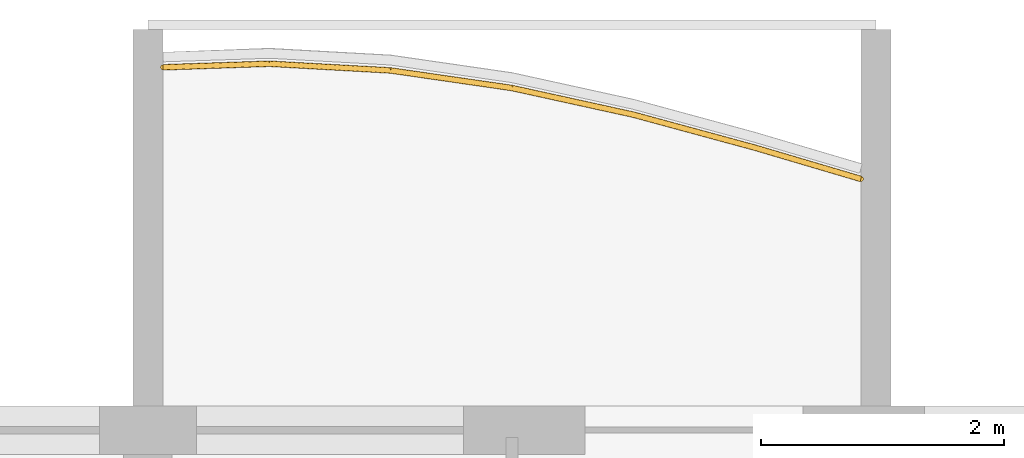
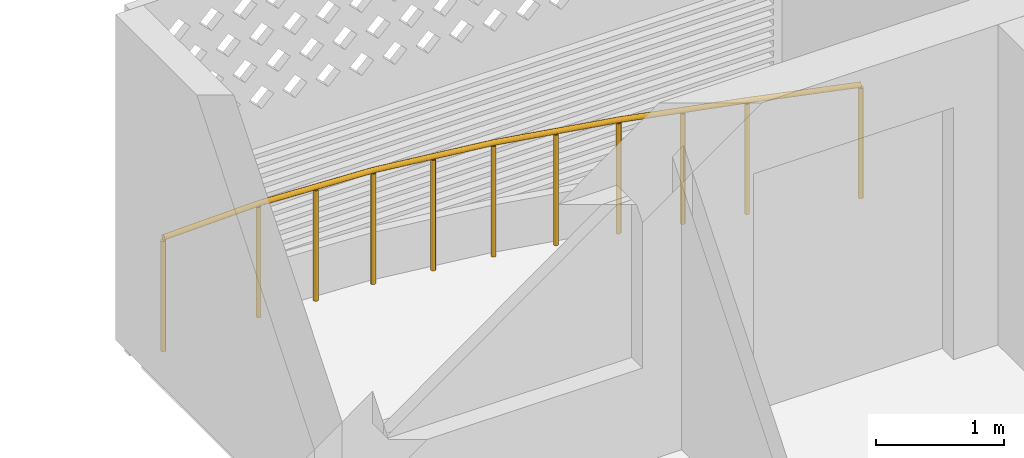
# One storey, part 24 of 40: 1 railing.
"""IFC4 building model written with IfcOpenShell, lengths in metres."""

from ifc_helpers import new_model, si_unit, direction, frame, origin, origin_2d, place, context, subcontext, project, spatial, circle, extrude, material, type_object, element, save


model = new_model("IFC4")

# Units and contexts
model_context = context("Model", 3, precision=1e-05, world=origin(), true_north=direction((0.0, 1.0)))
body_context = subcontext(model_context, "Body", "Model", "MODEL_VIEW")
ifc_project = project(units=[si_unit("LENGTHUNIT", "METRE"), si_unit("AREAUNIT", "SQUARE_METRE"), si_unit("VOLUMEUNIT", "CUBIC_METRE"), si_unit("PLANEANGLEUNIT", "RADIAN"), si_unit("MASSUNIT", "GRAM", prefix="KILO")], contexts=[model_context])

# Site, building, storey
site_placement = place(None, origin())
site = spatial("IfcSite", under=ifc_project, at=site_placement, CompositionType="ELEMENT")
building_placement = place(site_placement, origin())
building = spatial("IfcBuilding", under=site, at=building_placement, Name="Poui Terraces", CompositionType="ELEMENT")
storey_placement = place(building_placement, frame((0.0, 0.0, 39.89990234375)))
storey = spatial("IfcBuildingStorey", under=building, at=storey_placement, Name="L10", CompositionType="ELEMENT", Elevation=39.89990234375)

# Railing
ifc_material = material(Name="Painted steel fretwork", Category="steel")
railing_type = type_object("IfcRailingType", Name="BALCONY GUARD 1100", PredefinedType="GUARDRAIL", material=ifc_material)
railing_placement = place(storey_placement, frame((24.125, 47.7900390625, 0.0)))
element("IfcRailing", 1, at=railing_placement, inside=storey, type_object=railing_type, Name="BALCONY GUARD", PredefinedType="GUARDRAIL", context=body_context, shape_type="SweptSolid", body=[
    extrude(circle(Radius=0.02392578125, at=origin_2d()), frame((0.0, 0.0, 1.076171875), z_axis=(0.999430578744, 0.033741936392, 0.0), x_axis=(-0.033741936392, 0.999430578744, 0.0)), (0.0, 0.0, 1.0), 0.87548828125),
    extrude(circle(Radius=0.02392578125, at=origin_2d()), frame((0.875, 0.029541015625, 1.076171875), z_axis=(0.998467844587, -0.055335009942, 0.0), x_axis=(0.055335009942, 0.998467844587, 0.0)), (0.0, 0.0, 1.0), 1.00146484375),
    extrude(circle(Radius=0.02392578125, at=origin_2d()), frame((1.875, -0.02587890625, 1.076171875), z_axis=(0.989681961654, -0.143281592593, 0.0), x_axis=(0.143281592593, 0.989681961654, 0.0)), (0.0, 0.0, 1.0), 1.010498046875),
    extrude(circle(Radius=0.02392578125, at=origin_2d()), frame((2.875, -0.170654296875, 1.076171875), z_axis=(0.97675043296, -0.214379550593, 0.0), x_axis=(0.214379550593, 0.97675043296, 0.0)), (0.0, 0.0, 1.0), 1.023681640625),
    extrude(circle(Radius=0.02392578125, at=origin_2d()), frame((3.875, -0.39013671875, 1.076171875), z_axis=(0.965067658743, -0.262000790167, 0.0), x_axis=(0.262000790167, 0.965067658743, 0.0)), (0.0, 0.0, 1.0), 1.0361328125),
    extrude(circle(Radius=0.02392578125, at=origin_2d()), frame((4.875, -0.66162109375, 1.076171875), z_axis=(0.959083787793, -0.283122390481, 0.0), x_axis=(0.283122390481, 0.959083787793, 0.0)), (0.0, 0.0, 1.0), 0.912353515625),
    extrude(circle(Radius=0.02099609375, at=origin_2d()), origin(), (0.0, 0.0, 1.0), 1.052001953125),
    extrude(circle(Radius=0.02099609375, at=origin_2d()), frame((0.875, 0.029541015625, 0.0)), (0.0, 0.0, 1.0), 1.052001953125),
    extrude(circle(Radius=0.02099609375, at=origin_2d()), frame((1.375, 0.001953125, 0.0)), (0.0, 0.0, 1.0), 1.052001953125),
    extrude(circle(Radius=0.02099609375, at=origin_2d()), frame((1.875, -0.02587890625, 0.0)), (0.0, 0.0, 1.0), 1.052001953125),
    extrude(circle(Radius=0.02099609375, at=origin_2d()), frame((2.375, -0.09814453125, 0.0)), (0.0, 0.0, 1.0), 1.052001953125),
    extrude(circle(Radius=0.02099609375, at=origin_2d()), frame((2.875, -0.170654296875, 0.0)), (0.0, 0.0, 1.0), 1.052001953125),
    extrude(circle(Radius=0.02099609375, at=origin_2d()), frame((3.375, -0.2802734375, 0.0)), (0.0, 0.0, 1.0), 1.052001953125),
    extrude(circle(Radius=0.02099609375, at=origin_2d()), frame((3.875, -0.39013671875, 0.0)), (0.0, 0.0, 1.0), 1.052001953125),
    extrude(circle(Radius=0.02099609375, at=origin_2d()), frame((4.375, -0.52587890625, 0.0)), (0.0, 0.0, 1.0), 1.052001953125),
    extrude(circle(Radius=0.02099609375, at=origin_2d()), frame((4.875, -0.66162109375, 0.0)), (0.0, 0.0, 1.0), 1.052001953125),
    extrude(circle(Radius=0.02099609375, at=origin_2d()), frame((5.75, -0.919921875, 0.0)), (0.0, 0.0, 1.0), 1.052001953125),
])

save(model, "model.ifc")
